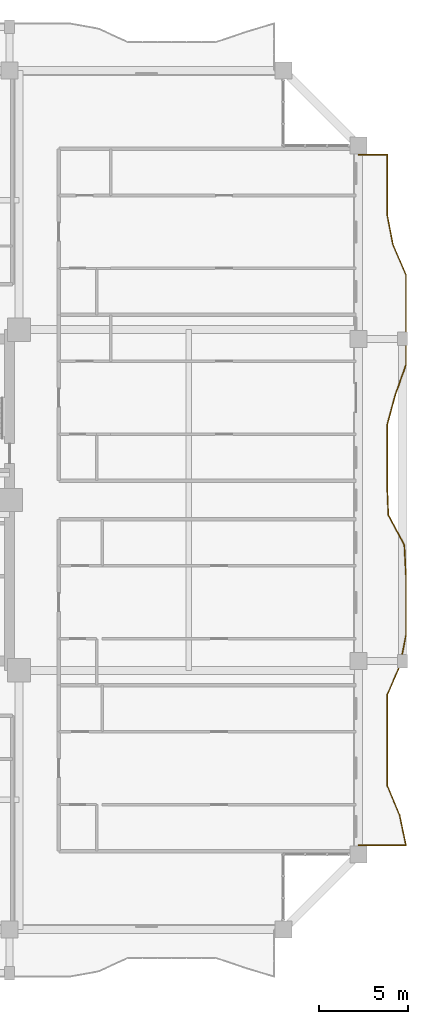
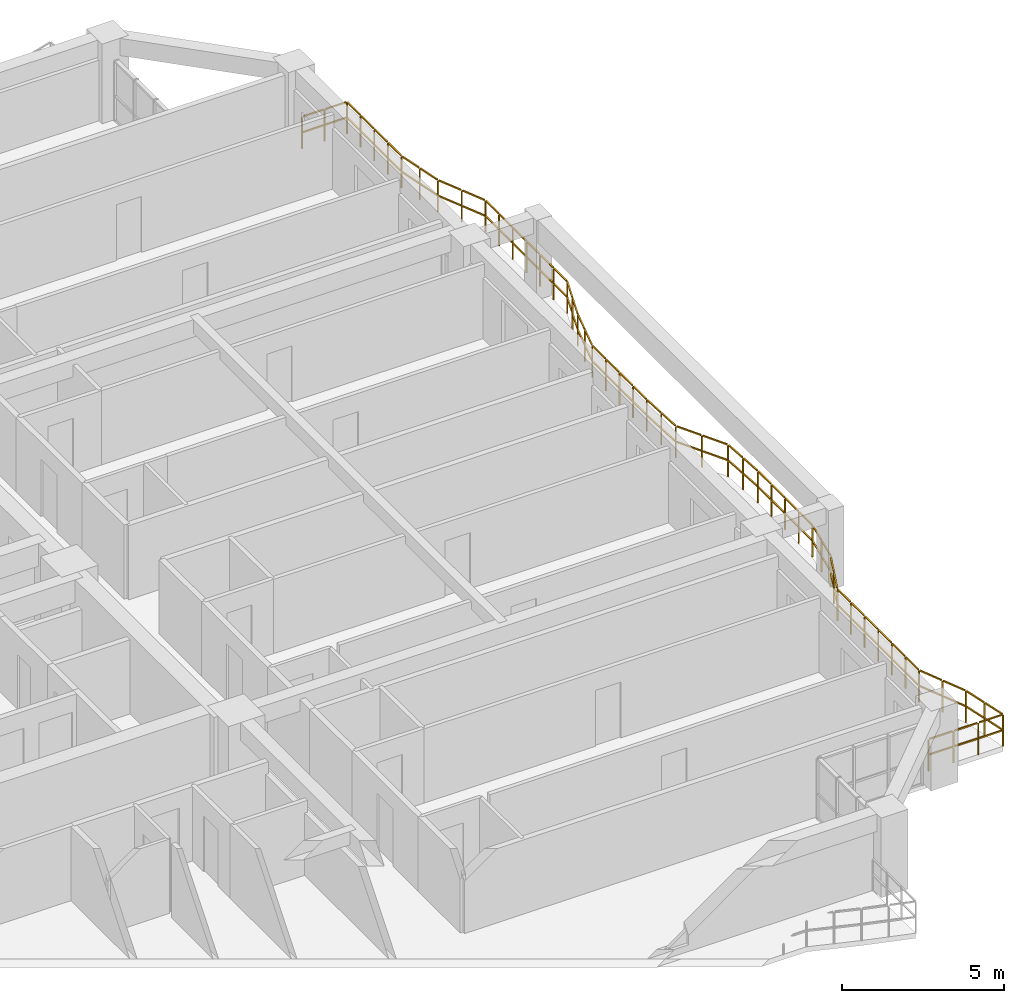
# One storey, part 23 of 24: 1 railing.
"""IFC4 building model written with IfcOpenShell, lengths in metres."""

import ifcopenshell
import ifcopenshell.guid

model = None  # the IFC model being written
_history = None  # IfcOwnerHistory: only IFC2X3 demands one
_inside = {}  # id of a spatial element -> (the spatial element, [elements in it])
_under = {}  # id of a project, library or spatial element -> (it, [spatial elements below it])
_declared = {}  # id of a project -> (the project, [libraries it declares])
_typed = {}  # id of a type object -> (the type object, [elements of that type])
_made_of = {}  # id of a material, layer set ... -> (it, [elements and type objects made of it])


def new_model(schema):
    """Start an empty IFC model of exactly this schema.

    Asked for "IFC4X3", IfcOpenShell would pick the latest addendum, in which some entities
    have other attributes; the version numbers below select the first issue.
    IFC2X3 requires an IfcOwnerHistory on every rooted entity: one is made here for all.
    """
    global model, _history
    if schema == "IFC4X3":
        model = ifcopenshell.file(schema_version=(4, 3, 0, 0))
    else:
        model = ifcopenshell.file(schema=schema)
    _inside.clear()
    _under.clear()
    _declared.clear()
    _typed.clear()
    _made_of.clear()
    _history = None
    if model.schema == "IFC2X3":
        org = make("IfcOrganization", Name="unknown")
        user = make(
            "IfcPersonAndOrganization",
            ThePerson=make("IfcPerson", FamilyName="unknown"),
            TheOrganization=org,
        )
        app = make(
            "IfcApplication",
            ApplicationDeveloper=org,
            Version="unknown",
            ApplicationFullName="unknown",
            ApplicationIdentifier="unknown",
        )
        _history = make(
            "IfcOwnerHistory",
            OwningUser=user,
            OwningApplication=app,
            ChangeAction="ADDED",
            CreationDate=0,
        )
    return model


def make(cls, **values):
    """One entity of the class cls with the attributes given. An attribute that is None is left unset."""
    return model.create_entity(
        cls, **{name: value for name, value in values.items() if value is not None}
    )


def rooted(cls, **values):
    """An entity with a GlobalId (a new one), such as an element, a storey or a relation."""
    return make(cls, GlobalId=ifcopenshell.guid.new(), OwnerHistory=_history, **values)


def si_unit(unit_type, name, prefix=None):
    """IfcSIUnit, for example si_unit("LENGTHUNIT", "METRE", prefix="MILLI")."""
    return make("IfcSIUnit", UnitType=unit_type, Prefix=prefix, Name=name)


def assignment(units):
    """IfcUnitAssignment: the units of a project."""
    return None if units is None else make("IfcUnitAssignment", Units=units)


def point(xyz):
    """IfcCartesianPoint."""
    return None if xyz is None else make("IfcCartesianPoint", Coordinates=xyz)


def direction(xyz):
    """IfcDirection."""
    return None if xyz is None else make("IfcDirection", DirectionRatios=xyz)


def frame(location, z_axis=None, x_axis=None):
    """IfcAxis2Placement3D, a coordinate frame: its origin and axes. An axis left out is left unset."""
    return make(
        "IfcAxis2Placement3D",
        Location=point(location),
        Axis=direction(z_axis),
        RefDirection=direction(x_axis),
    )


def frame_2d(location, x_axis=None):
    """IfcAxis2Placement2D, a coordinate frame in the plane: its origin and x axis."""
    return make(
        "IfcAxis2Placement2D", Location=point(location), RefDirection=direction(x_axis)
    )


def origin():
    """The frame at (0, 0, 0) with its axes left unset."""
    return frame((0.0, 0.0, 0.0))


def origin_2d():
    """The frame at (0, 0) in the plane with its x axis left unset."""
    return frame_2d((0.0, 0.0))


def place(relative_to, where):
    """IfcLocalPlacement: puts the frame where relative to a parent placement (None: the world)."""
    return make(
        "IfcLocalPlacement", PlacementRelTo=relative_to, RelativePlacement=where
    )


def context(
    kind, dimensions, precision=None, world=None, true_north=None, identifier=None
):
    """IfcGeometricRepresentationContext, for example the 3D "Model" context."""
    return make(
        "IfcGeometricRepresentationContext",
        ContextIdentifier=identifier,
        ContextType=kind,
        CoordinateSpaceDimension=dimensions,
        Precision=precision,
        WorldCoordinateSystem=world,
        TrueNorth=true_north,
    )


def subcontext(parent, identifier, kind, view, scale=None):
    """IfcGeometricRepresentationSubContext, for example "Body" below "Model"."""
    return make(
        "IfcGeometricRepresentationSubContext",
        ContextIdentifier=identifier,
        ContextType=kind,
        ParentContext=parent,
        TargetScale=scale,
        TargetView=view,
    )


def project(units=None, contexts=None):
    """IfcProject with its units and contexts."""
    return rooted(
        "IfcProject",
        Name="project",
        RepresentationContexts=contexts,
        UnitsInContext=assignment(units),
    )


def spatial(cls, under=None, at=None, **own):
    """A site, building, storey or space (cls), placed at a placement, below another one or the project."""
    s = rooted(cls, ObjectPlacement=at, **own)
    if under is not None:
        _under.setdefault(under.id(), (under, []))[1].append(s)
    return s


def profile(cls, at=None, kind="AREA", **sizes):
    """A parametric profile (cls). Its sizes go by their IFC names, for example OverallWidth=200.0."""
    return make(cls, ProfileType=kind, Position=at, **sizes)


def rectangle(**sizes):
    """IfcRectangleProfileDef."""
    return profile("IfcRectangleProfileDef", **sizes)


def extrude(swept, where, along, depth):
    """IfcExtrudedAreaSolid: the profile swept, set in the frame where, extruded along a direction by depth."""
    return make(
        "IfcExtrudedAreaSolid",
        SweptArea=swept,
        Position=where,
        ExtrudedDirection=direction(along),
        Depth=depth,
    )


def shape(context_of_items, identifier, shape_type, items):
    """IfcShapeRepresentation: the items that make up one representation, for example the "Body"."""
    return make(
        "IfcShapeRepresentation",
        ContextOfItems=context_of_items,
        RepresentationIdentifier=identifier,
        RepresentationType=shape_type,
        Items=items,
    )


def material(Name=None, Category=None):
    """IfcMaterial."""
    return make("IfcMaterial", Name=Name, Category=Category)


def made_of(thing, what):
    """Note that an element or type object is made of a material, layer set ...; save() writes the relation."""
    if what is not None:
        _made_of.setdefault(what.id(), (what, []))[1].append(thing)
    return thing


def type_object(cls, material=None, **own):
    """A type object (cls), such as IfcWallType, which elements share."""
    return made_of(rooted(cls, **own), material)


def element(
    cls,
    number,
    at=None,
    inside=None,
    cuts=None,
    type_object=None,
    material=None,
    context=None,
    identifier="Body",
    shape_type=None,
    held_by="IfcProductDefinitionShape",
    body=None,
    shapes=None,
    **own,
):
    """One element of the class cls, such as IfcWall. Its Tag is "e" and its number.

    at: its placement. inside: the storey or other place that contains it. cuts: it is an
    opening in that element (IfcRelVoidsElement). A single representation is given by context,
    identifier, shape_type and body (its items); several are given by shapes. held_by: the class
    of the entity that holds the representations. save() writes the other relations.
    """
    e = rooted(cls, Tag="e%d" % number, ObjectPlacement=at, **own)
    if body is not None:
        shapes = [shape(context, identifier, shape_type, body)]
    if shapes is not None:
        e.Representation = make(held_by, Representations=shapes)
    if inside is not None:
        _inside.setdefault(inside.id(), (inside, []))[1].append(e)
    if cuts is not None:
        rooted(
            "IfcRelVoidsElement", RelatingBuildingElement=cuts, RelatedOpeningElement=e
        )
    if type_object is not None:
        _typed.setdefault(type_object.id(), (type_object, []))[1].append(e)
    return made_of(e, material)


def aggregate(whole, parts):
    """IfcRelAggregates: a whole, such as a stair, and the parts it consists of."""
    return rooted("IfcRelAggregates", RelatingObject=whole, RelatedObjects=parts)


def save(model, path):
    """Write the relations noted so far, then the file.

    IfcRelAggregates (storeys below a building ...), IfcRelContainedInSpatialStructure (elements
    in a storey), IfcRelDefinesByType, IfcRelAssociatesMaterial and IfcRelDeclares: one each for
    every whole, place, type object, material and project.
    """
    for whole, parts in _under.values():
        aggregate(whole, parts)
    for where, things in _inside.values():
        rooted(
            "IfcRelContainedInSpatialStructure",
            RelatedElements=things,
            RelatingStructure=where,
        )
    for kind, things in _typed.values():
        rooted("IfcRelDefinesByType", RelatedObjects=things, RelatingType=kind)
    for what, things in _made_of.values():
        rooted("IfcRelAssociatesMaterial", RelatedObjects=things, RelatingMaterial=what)
    for by, libraries in _declared.values():
        rooted("IfcRelDeclares", RelatingContext=by, RelatedDefinitions=libraries)
    model.write(path)


model = new_model("IFC4")

# Units and contexts
model_context = context("Model", 3, precision=1e-05, world=origin(), true_north=direction((0.0, 1.0)))
body_context = subcontext(model_context, "Body", "Model", "MODEL_VIEW")
ifc_project = project(units=[si_unit("LENGTHUNIT", "METRE"), si_unit("AREAUNIT", "SQUARE_METRE"), si_unit("VOLUMEUNIT", "CUBIC_METRE"), si_unit("PLANEANGLEUNIT", "RADIAN"), si_unit("MASSUNIT", "GRAM", prefix="KILO")], contexts=[model_context])

# Site, building, storey
site_placement = place(None, origin())
site = spatial("IfcSite", under=ifc_project, at=site_placement, CompositionType="ELEMENT")
building_placement = place(site_placement, origin())
building = spatial("IfcBuilding", under=site, at=building_placement, Name="Saelheon Loggia Tower", CompositionType="ELEMENT")
storey_placement = place(building_placement, frame((0.0, 0.0, 98.85009765625)))
storey = spatial("IfcBuildingStorey", under=building, at=storey_placement, Name="L31", CompositionType="ELEMENT", Elevation=98.85009765625)

# Railing
ifc_material = material(Name="Architectural Precast Concrete and Laminated Glass Guard", Category="concrete")
railing_type = type_object("IfcRailingType", Name="Guard_Loggia_RL_LOG", PredefinedType="BALUSTRADE", material=ifc_material)
railing_placement = place(storey_placement, frame((64.0, 7.699951171875, 0.0)))
element("IfcRailing", 1, at=railing_placement, inside=storey, type_object=railing_type, Name="L31 East Loggia Balustrade", PredefinedType="BALUSTRADE", context=body_context, shape_type="SweptSolid", body=[
    extrude(rectangle(XDim=0.048095703125, YDim=0.048095703125, at=origin_2d()), frame((0.033203125, 0.0, 1.19580078125), z_axis=(1.0, 0.0, 0.0), x_axis=(0.0, 1.0, 0.0)), (0.0, 0.0, 1.0), 0.81689453125),
    extrude(rectangle(XDim=0.048095703125, YDim=0.048095703125, at=origin_2d()), frame((0.033203125, 0.0, 0.60986328125), z_axis=(1.0, 0.0, 0.0), x_axis=(0.0, 1.0, 0.0)), (0.0, 0.0, 1.0), 0.81689453125),
    extrude(rectangle(XDim=0.048095703125, YDim=0.048095703125, at=origin_2d()), frame((0.91650390625, 0.0, 1.19580078125), z_axis=(1.0, 0.0, 0.0), x_axis=(0.0, 1.0, 0.0)), (0.0, 0.0, 1.0), 0.81689453125),
    extrude(rectangle(XDim=0.048095703125, YDim=0.048095703125, at=origin_2d()), frame((0.91650390625, 0.0, 0.60986328125), z_axis=(1.0, 0.0, 0.0), x_axis=(0.0, 1.0, 0.0)), (0.0, 0.0, 1.0), 0.81689453125),
    extrude(rectangle(XDim=0.048095703125, YDim=0.048095703125, at=origin_2d()), frame((1.7998046875, 0.0, 1.19580078125), z_axis=(1.0, 0.0, 0.0), x_axis=(0.0, 1.0, 0.0)), (0.0, 0.0, 1.0), 0.81689453125),
    extrude(rectangle(XDim=0.048095703125, YDim=0.048095703125, at=origin_2d()), frame((1.7998046875, 0.0, 0.60986328125), z_axis=(1.0, 0.0, 0.0), x_axis=(0.0, 1.0, 0.0)), (0.0, 0.0, 1.0), 0.81689453125),
    extrude(rectangle(XDim=0.048095703125, YDim=0.048095703125, at=origin_2d()), frame((2.64306640625, 0.032470703125, 1.19580078125), z_axis=(-0.205414978073, 0.978674964829, 0.0), x_axis=(-0.978674964829, -0.205414978073, 0.0)), (0.0, 0.0, 1.0), 0.791015625),
    extrude(rectangle(XDim=0.048095703125, YDim=0.048095703125, at=origin_2d()), frame((2.64306640625, 0.032470703125, 0.60986328125), z_axis=(-0.205414978073, 0.978674964829, 0.0), x_axis=(-0.978674964829, -0.205414978073, 0.0)), (0.0, 0.0, 1.0), 0.791015625),
    extrude(rectangle(XDim=0.048095703125, YDim=0.048095703125, at=origin_2d()), frame((2.467041015625, 0.871826171875, 1.19580078125), z_axis=(-0.205414978073, 0.978674964829, 0.0), x_axis=(-0.978674964829, -0.205414978073, 0.0)), (0.0, 0.0, 1.0), 0.791015625),
    extrude(rectangle(XDim=0.048095703125, YDim=0.048095703125, at=origin_2d()), frame((2.467041015625, 0.871826171875, 0.60986328125), z_axis=(-0.205414978073, 0.978674964829, 0.0), x_axis=(-0.978674964829, -0.205414978073, 0.0)), (0.0, 0.0, 1.0), 0.791015625),
    extrude(rectangle(XDim=0.048095703125, YDim=0.048095703125, at=origin_2d()), frame((2.284912109375, 1.709228515625, 1.19580078125), z_axis=(-0.383842529392, 0.923398566508, 0.0), x_axis=(-0.923398566508, -0.383842529392, 0.0)), (0.0, 0.0, 1.0), 0.842041015625),
    extrude(rectangle(XDim=0.048095703125, YDim=0.048095703125, at=origin_2d()), frame((2.284912109375, 1.709228515625, 0.60986328125), z_axis=(-0.383842529392, 0.923398566508, 0.0), x_axis=(-0.923398566508, -0.383842529392, 0.0)), (0.0, 0.0, 1.0), 0.842041015625),
    extrude(rectangle(XDim=0.048095703125, YDim=0.048095703125, at=origin_2d()), frame((1.93603515625, 2.548095703125, 1.19580078125), z_axis=(-0.383842529392, 0.923398566508, 0.0), x_axis=(-0.923398566508, -0.383842529392, 0.0)), (0.0, 0.0, 1.0), 0.842041015625),
    extrude(rectangle(XDim=0.048095703125, YDim=0.048095703125, at=origin_2d()), frame((1.93603515625, 2.548095703125, 0.60986328125), z_axis=(-0.383842529392, 0.923398566508, 0.0), x_axis=(-0.923398566508, -0.383842529392, 0.0)), (0.0, 0.0, 1.0), 0.842041015625),
    extrude(rectangle(XDim=0.048095703125, YDim=0.048095703125, at=origin_2d()), frame((1.60009765625, 3.3896484375, 1.19580078125), z_axis=(0.0, 1.0, 0.0), x_axis=(-1.0, 0.0, 0.0)), (0.0, 0.0, 1.0), 0.772705078125),
    extrude(rectangle(XDim=0.048095703125, YDim=0.048095703125, at=origin_2d()), frame((1.60009765625, 3.3896484375, 0.60986328125), z_axis=(0.0, 1.0, 0.0), x_axis=(-1.0, 0.0, 0.0)), (0.0, 0.0, 1.0), 0.772705078125),
    extrude(rectangle(XDim=0.048095703125, YDim=0.048095703125, at=origin_2d()), frame((1.60009765625, 4.22900390625, 1.19580078125), z_axis=(0.0, 1.0, 0.0), x_axis=(-1.0, 0.0, 0.0)), (0.0, 0.0, 1.0), 0.772705078125),
    extrude(rectangle(XDim=0.048095703125, YDim=0.048095703125, at=origin_2d()), frame((1.60009765625, 4.22900390625, 0.60986328125), z_axis=(0.0, 1.0, 0.0), x_axis=(-1.0, 0.0, 0.0)), (0.0, 0.0, 1.0), 0.772705078125),
    extrude(rectangle(XDim=0.048095703125, YDim=0.048095703125, at=origin_2d()), frame((1.60009765625, 5.068115234375, 1.19580078125), z_axis=(0.0, 1.0, 0.0), x_axis=(-1.0, 0.0, 0.0)), (0.0, 0.0, 1.0), 0.772705078125),
    extrude(rectangle(XDim=0.048095703125, YDim=0.048095703125, at=origin_2d()), frame((1.60009765625, 5.068115234375, 0.60986328125), z_axis=(0.0, 1.0, 0.0), x_axis=(-1.0, 0.0, 0.0)), (0.0, 0.0, 1.0), 0.772705078125),
    extrude(rectangle(XDim=0.048095703125, YDim=0.048095703125, at=origin_2d()), frame((1.60009765625, 5.9072265625, 1.19580078125), z_axis=(0.0, 1.0, 0.0), x_axis=(-1.0, 0.0, 0.0)), (0.0, 0.0, 1.0), 0.772705078125),
    extrude(rectangle(XDim=0.048095703125, YDim=0.048095703125, at=origin_2d()), frame((1.60009765625, 5.9072265625, 0.60986328125), z_axis=(0.0, 1.0, 0.0), x_axis=(-1.0, 0.0, 0.0)), (0.0, 0.0, 1.0), 0.772705078125),
    extrude(rectangle(XDim=0.048095703125, YDim=0.048095703125, at=origin_2d()), frame((1.60009765625, 6.746337890625, 1.19580078125), z_axis=(0.0, 1.0, 0.0), x_axis=(-1.0, 0.0, 0.0)), (0.0, 0.0, 1.0), 0.772705078125),
    extrude(rectangle(XDim=0.048095703125, YDim=0.048095703125, at=origin_2d()), frame((1.60009765625, 6.746337890625, 0.60986328125), z_axis=(0.0, 1.0, 0.0), x_axis=(-1.0, 0.0, 0.0)), (0.0, 0.0, 1.0), 0.772705078125),
    extrude(rectangle(XDim=0.048095703125, YDim=0.048095703125, at=origin_2d()), frame((1.60009765625, 7.58544921875, 1.19580078125), z_axis=(0.0, 1.0, 0.0), x_axis=(-1.0, 0.0, 0.0)), (0.0, 0.0, 1.0), 0.772705078125),
    extrude(rectangle(XDim=0.048095703125, YDim=0.048095703125, at=origin_2d()), frame((1.60009765625, 7.58544921875, 0.60986328125), z_axis=(0.0, 1.0, 0.0), x_axis=(-1.0, 0.0, 0.0)), (0.0, 0.0, 1.0), 0.772705078125),
    extrude(rectangle(XDim=0.048095703125, YDim=0.048095703125, at=origin_2d()), frame((1.61328125, 8.421875, 1.19580078125), z_axis=(0.395724447391, 0.918369294857, 0.0), x_axis=(-0.918369294857, 0.395724447391, 0.0)), (0.0, 0.0, 1.0), 0.84716796875),
    extrude(rectangle(XDim=0.048095703125, YDim=0.048095703125, at=origin_2d()), frame((1.61328125, 8.421875, 0.60986328125), z_axis=(0.395724447391, 0.918369294857, 0.0), x_axis=(-0.918369294857, 0.395724447391, 0.0)), (0.0, 0.0, 1.0), 0.84716796875),
    extrude(rectangle(XDim=0.048095703125, YDim=0.048095703125, at=origin_2d()), frame((1.974853515625, 9.260986328125, 1.19580078125), z_axis=(0.395724447391, 0.918369294857, 0.0), x_axis=(-0.918369294857, 0.395724447391, 0.0)), (0.0, 0.0, 1.0), 0.84716796875),
    extrude(rectangle(XDim=0.048095703125, YDim=0.048095703125, at=origin_2d()), frame((1.974853515625, 9.260986328125, 0.60986328125), z_axis=(0.395724447391, 0.918369294857, 0.0), x_axis=(-0.918369294857, 0.395724447391, 0.0)), (0.0, 0.0, 1.0), 0.84716796875),
    extrude(rectangle(XDim=0.048095703125, YDim=0.048095703125, at=origin_2d()), frame((2.32958984375, 10.102294921875, 1.19580078125), z_axis=(0.191060757648, 0.981578212313, 0.0), x_axis=(-0.981578212313, 0.191060757648, 0.0)), (0.0, 0.0, 1.0), 0.788330078125),
    extrude(rectangle(XDim=0.048095703125, YDim=0.048095703125, at=origin_2d()), frame((2.32958984375, 10.102294921875, 0.60986328125), z_axis=(0.191060757648, 0.981578212313, 0.0), x_axis=(-0.981578212313, 0.191060757648, 0.0)), (0.0, 0.0, 1.0), 0.788330078125),
    extrude(rectangle(XDim=0.048095703125, YDim=0.048095703125, at=origin_2d()), frame((2.492919921875, 10.94140625, 1.19580078125), z_axis=(0.191060757648, 0.981578212313, 0.0), x_axis=(-0.981578212313, 0.191060757648, 0.0)), (0.0, 0.0, 1.0), 0.788330078125),
    extrude(rectangle(XDim=0.048095703125, YDim=0.048095703125, at=origin_2d()), frame((2.492919921875, 10.94140625, 0.60986328125), z_axis=(0.191060757648, 0.981578212313, 0.0), x_axis=(-0.981578212313, 0.191060757648, 0.0)), (0.0, 0.0, 1.0), 0.788330078125),
    extrude(rectangle(XDim=0.048095703125, YDim=0.048095703125, at=origin_2d()), frame((2.64990234375, 11.781005859375, 1.19580078125), z_axis=(0.0, 1.0, 0.0), x_axis=(-1.0, 0.0, 0.0)), (0.0, 0.0, 1.0), 0.772705078125),
    extrude(rectangle(XDim=0.048095703125, YDim=0.048095703125, at=origin_2d()), frame((2.64990234375, 11.781005859375, 0.60986328125), z_axis=(0.0, 1.0, 0.0), x_axis=(-1.0, 0.0, 0.0)), (0.0, 0.0, 1.0), 0.772705078125),
    extrude(rectangle(XDim=0.048095703125, YDim=0.048095703125, at=origin_2d()), frame((2.64990234375, 12.620361328125, 1.19580078125), z_axis=(0.0, 1.0, 0.0), x_axis=(-1.0, 0.0, 0.0)), (0.0, 0.0, 1.0), 0.772705078125),
    extrude(rectangle(XDim=0.048095703125, YDim=0.048095703125, at=origin_2d()), frame((2.64990234375, 12.620361328125, 0.60986328125), z_axis=(0.0, 1.0, 0.0), x_axis=(-1.0, 0.0, 0.0)), (0.0, 0.0, 1.0), 0.772705078125),
    extrude(rectangle(XDim=0.048095703125, YDim=0.048095703125, at=origin_2d()), frame((2.64990234375, 13.45947265625, 1.19580078125), z_axis=(0.0, 1.0, 0.0), x_axis=(-1.0, 0.0, 0.0)), (0.0, 0.0, 1.0), 0.7724609375),
    extrude(rectangle(XDim=0.048095703125, YDim=0.048095703125, at=origin_2d()), frame((2.64990234375, 13.45947265625, 0.60986328125), z_axis=(0.0, 1.0, 0.0), x_axis=(-1.0, 0.0, 0.0)), (0.0, 0.0, 1.0), 0.7724609375),
    extrude(rectangle(XDim=0.048095703125, YDim=0.048095703125, at=origin_2d()), frame((2.64990234375, 14.298583984375, 1.19580078125), z_axis=(0.0, 1.0, 0.0), x_axis=(-1.0, 0.0, 0.0)), (0.0, 0.0, 1.0), 0.7724609375),
    extrude(rectangle(XDim=0.048095703125, YDim=0.048095703125, at=origin_2d()), frame((2.64990234375, 14.298583984375, 0.60986328125), z_axis=(0.0, 1.0, 0.0), x_axis=(-1.0, 0.0, 0.0)), (0.0, 0.0, 1.0), 0.7724609375),
    extrude(rectangle(XDim=0.048095703125, YDim=0.048095703125, at=origin_2d()), frame((2.648193359375, 15.137451171875, 1.19580078125), z_axis=(-0.053161084744, 0.998585949765, 0.0), x_axis=(-0.998585949765, -0.053161084744, 0.0)), (0.0, 0.0, 1.0), 0.77392578125),
    extrude(rectangle(XDim=0.048095703125, YDim=0.048095703125, at=origin_2d()), frame((2.648193359375, 15.137451171875, 0.60986328125), z_axis=(-0.053161084744, 0.998585949765, 0.0), x_axis=(-0.998585949765, -0.053161084744, 0.0)), (0.0, 0.0, 1.0), 0.77392578125),
    extrude(rectangle(XDim=0.048095703125, YDim=0.048095703125, at=origin_2d()), frame((2.603515625, 15.9765625, 1.19580078125), z_axis=(-0.053161084744, 0.998585949765, 0.0), x_axis=(-0.998585949765, -0.053161084744, 0.0)), (0.0, 0.0, 1.0), 0.77392578125),
    extrude(rectangle(XDim=0.048095703125, YDim=0.048095703125, at=origin_2d()), frame((2.603515625, 15.9765625, 0.60986328125), z_axis=(-0.053161084744, 0.998585949765, 0.0), x_axis=(-0.998585949765, -0.053161084744, 0.0)), (0.0, 0.0, 1.0), 0.77392578125),
    extrude(rectangle(XDim=0.048095703125, YDim=0.048095703125, at=origin_2d()), frame((2.544921875, 16.81201171875, 1.19580078125), z_axis=(-0.470474964031, 0.882413343179, 0.0), x_axis=(-0.882413343179, -0.470474964031, 0.0)), (0.0, 0.0, 1.0), 0.884521484375),
    extrude(rectangle(XDim=0.048095703125, YDim=0.048095703125, at=origin_2d()), frame((2.544921875, 16.81201171875, 0.60986328125), z_axis=(-0.470474964031, 0.882413343179, 0.0), x_axis=(-0.882413343179, -0.470474964031, 0.0)), (0.0, 0.0, 1.0), 0.884521484375),
    extrude(rectangle(XDim=0.048095703125, YDim=0.048095703125, at=origin_2d()), frame((2.097412109375, 17.651123046875, 1.19580078125), z_axis=(-0.470474964031, 0.882413343179, 0.0), x_axis=(-0.882413343179, -0.470474964031, 0.0)), (0.0, 0.0, 1.0), 0.884521484375),
    extrude(rectangle(XDim=0.048095703125, YDim=0.048095703125, at=origin_2d()), frame((2.097412109375, 17.651123046875, 0.60986328125), z_axis=(-0.470474964031, 0.882413343179, 0.0), x_axis=(-0.882413343179, -0.470474964031, 0.0)), (0.0, 0.0, 1.0), 0.884521484375),
    extrude(rectangle(XDim=0.048095703125, YDim=0.048095703125, at=origin_2d()), frame((1.66455078125, 18.494140625, 1.19580078125), z_axis=(-0.039103035271, 0.999235183844, 0.0), x_axis=(-0.999235183844, -0.039103035271, 0.0)), (0.0, 0.0, 1.0), 0.773193359375),
    extrude(rectangle(XDim=0.048095703125, YDim=0.048095703125, at=origin_2d()), frame((1.66455078125, 18.494140625, 0.60986328125), z_axis=(-0.039103035271, 0.999235183844, 0.0), x_axis=(-0.999235183844, -0.039103035271, 0.0)), (0.0, 0.0, 1.0), 0.773193359375),
    extrude(rectangle(XDim=0.048095703125, YDim=0.048095703125, at=origin_2d()), frame((1.631591796875, 19.333251953125, 1.19580078125), z_axis=(-0.039103035271, 0.999235183844, 0.0), x_axis=(-0.999235183844, -0.039103035271, 0.0)), (0.0, 0.0, 1.0), 0.773193359375),
    extrude(rectangle(XDim=0.048095703125, YDim=0.048095703125, at=origin_2d()), frame((1.631591796875, 19.333251953125, 0.60986328125), z_axis=(-0.039103035271, 0.999235183844, 0.0), x_axis=(-0.999235183844, -0.039103035271, 0.0)), (0.0, 0.0, 1.0), 0.773193359375),
    extrude(rectangle(XDim=0.048095703125, YDim=0.048095703125, at=origin_2d()), frame((1.60009765625, 20.17236328125, 1.19580078125), z_axis=(0.0, 1.0, 0.0), x_axis=(-1.0, 0.0, 0.0)), (0.0, 0.0, 1.0), 0.772705078125),
    extrude(rectangle(XDim=0.048095703125, YDim=0.048095703125, at=origin_2d()), frame((1.60009765625, 20.17236328125, 0.60986328125), z_axis=(0.0, 1.0, 0.0), x_axis=(-1.0, 0.0, 0.0)), (0.0, 0.0, 1.0), 0.772705078125),
    extrude(rectangle(XDim=0.048095703125, YDim=0.048095703125, at=origin_2d()), frame((1.60009765625, 21.011474609375, 1.19580078125), z_axis=(0.0, 1.0, 0.0), x_axis=(-1.0, 0.0, 0.0)), (0.0, 0.0, 1.0), 0.772705078125),
    extrude(rectangle(XDim=0.048095703125, YDim=0.048095703125, at=origin_2d()), frame((1.60009765625, 21.011474609375, 0.60986328125), z_axis=(0.0, 1.0, 0.0), x_axis=(-1.0, 0.0, 0.0)), (0.0, 0.0, 1.0), 0.772705078125),
    extrude(rectangle(XDim=0.048095703125, YDim=0.048095703125, at=origin_2d()), frame((1.60009765625, 21.8505859375, 1.19580078125), z_axis=(0.0, 1.0, 0.0), x_axis=(-1.0, 0.0, 0.0)), (0.0, 0.0, 1.0), 0.772705078125),
    extrude(rectangle(XDim=0.048095703125, YDim=0.048095703125, at=origin_2d()), frame((1.60009765625, 21.8505859375, 0.60986328125), z_axis=(0.0, 1.0, 0.0), x_axis=(-1.0, 0.0, 0.0)), (0.0, 0.0, 1.0), 0.772705078125),
    extrude(rectangle(XDim=0.048095703125, YDim=0.048095703125, at=origin_2d()), frame((1.60009765625, 22.68994140625, 1.19580078125), z_axis=(0.0, 1.0, 0.0), x_axis=(-1.0, 0.0, 0.0)), (0.0, 0.0, 1.0), 0.772705078125),
    extrude(rectangle(XDim=0.048095703125, YDim=0.048095703125, at=origin_2d()), frame((1.60009765625, 22.68994140625, 0.60986328125), z_axis=(0.0, 1.0, 0.0), x_axis=(-1.0, 0.0, 0.0)), (0.0, 0.0, 1.0), 0.772705078125),
    extrude(rectangle(XDim=0.048095703125, YDim=0.048095703125, at=origin_2d()), frame((1.60888671875, 23.52783203125, 1.19580078125), z_axis=(0.261227378057, 0.965277295368, 0.0), x_axis=(-0.965277295368, 0.261227378057, 0.0)), (0.0, 0.0, 1.0), 0.802734375),
    extrude(rectangle(XDim=0.048095703125, YDim=0.048095703125, at=origin_2d()), frame((1.60888671875, 23.52783203125, 0.60986328125), z_axis=(0.261227378057, 0.965277295368, 0.0), x_axis=(-0.965277295368, 0.261227378057, 0.0)), (0.0, 0.0, 1.0), 0.802734375),
    extrude(rectangle(XDim=0.048095703125, YDim=0.048095703125, at=origin_2d()), frame((1.8359375, 24.366943359375, 1.19580078125), z_axis=(0.261227378057, 0.965277295368, 0.0), x_axis=(-0.965277295368, 0.261227378057, 0.0)), (0.0, 0.0, 1.0), 0.802734375),
    extrude(rectangle(XDim=0.048095703125, YDim=0.048095703125, at=origin_2d()), frame((1.8359375, 24.366943359375, 0.60986328125), z_axis=(0.261227378057, 0.965277295368, 0.0), x_axis=(-0.965277295368, 0.261227378057, 0.0)), (0.0, 0.0, 1.0), 0.802734375),
    extrude(rectangle(XDim=0.048095703125, YDim=0.048095703125, at=origin_2d()), frame((2.0654296875, 25.205078125, 1.19580078125), z_axis=(0.334468754842, 0.942406839976, 0.0), x_axis=(-0.942406839976, 0.334468754842, 0.0)), (0.0, 0.0, 1.0), 0.823974609375),
    extrude(rectangle(XDim=0.048095703125, YDim=0.048095703125, at=origin_2d()), frame((2.0654296875, 25.205078125, 0.60986328125), z_axis=(0.334468754842, 0.942406839976, 0.0), x_axis=(-0.942406839976, 0.334468754842, 0.0)), (0.0, 0.0, 1.0), 0.823974609375),
    extrude(rectangle(XDim=0.048095703125, YDim=0.048095703125, at=origin_2d()), frame((2.36328125, 26.04443359375, 1.19580078125), z_axis=(0.334468754842, 0.942406839976, 0.0), x_axis=(-0.942406839976, 0.334468754842, 0.0)), (0.0, 0.0, 1.0), 0.823974609375),
    extrude(rectangle(XDim=0.048095703125, YDim=0.048095703125, at=origin_2d()), frame((2.36328125, 26.04443359375, 0.60986328125), z_axis=(0.334468754842, 0.942406839976, 0.0), x_axis=(-0.942406839976, 0.334468754842, 0.0)), (0.0, 0.0, 1.0), 0.823974609375),
    extrude(rectangle(XDim=0.048095703125, YDim=0.048095703125, at=origin_2d()), frame((2.64990234375, 26.885498046875, 1.19580078125), z_axis=(0.0, 1.0, 0.0), x_axis=(-1.0, 0.0, 0.0)), (0.0, 0.0, 1.0), 0.772705078125),
    extrude(rectangle(XDim=0.048095703125, YDim=0.048095703125, at=origin_2d()), frame((2.64990234375, 26.885498046875, 0.60986328125), z_axis=(0.0, 1.0, 0.0), x_axis=(-1.0, 0.0, 0.0)), (0.0, 0.0, 1.0), 0.772705078125),
    extrude(rectangle(XDim=0.048095703125, YDim=0.048095703125, at=origin_2d()), frame((2.64990234375, 27.724609375, 1.19580078125), z_axis=(0.0, 1.0, 0.0), x_axis=(-1.0, 0.0, 0.0)), (0.0, 0.0, 1.0), 0.772705078125),
    extrude(rectangle(XDim=0.048095703125, YDim=0.048095703125, at=origin_2d()), frame((2.64990234375, 27.724609375, 0.60986328125), z_axis=(0.0, 1.0, 0.0), x_axis=(-1.0, 0.0, 0.0)), (0.0, 0.0, 1.0), 0.772705078125),
    extrude(rectangle(XDim=0.048095703125, YDim=0.048095703125, at=origin_2d()), frame((2.64990234375, 28.563720703125, 1.19580078125), z_axis=(0.0, 1.0, 0.0), x_axis=(-1.0, 0.0, 0.0)), (0.0, 0.0, 1.0), 0.772705078125),
    extrude(rectangle(XDim=0.048095703125, YDim=0.048095703125, at=origin_2d()), frame((2.64990234375, 28.563720703125, 0.60986328125), z_axis=(0.0, 1.0, 0.0), x_axis=(-1.0, 0.0, 0.0)), (0.0, 0.0, 1.0), 0.772705078125),
    extrude(rectangle(XDim=0.048095703125, YDim=0.048095703125, at=origin_2d()), frame((2.64990234375, 29.40283203125, 1.19580078125), z_axis=(0.0, 1.0, 0.0), x_axis=(-1.0, 0.0, 0.0)), (0.0, 0.0, 1.0), 0.772705078125),
    extrude(rectangle(XDim=0.048095703125, YDim=0.048095703125, at=origin_2d()), frame((2.64990234375, 29.40283203125, 0.60986328125), z_axis=(0.0, 1.0, 0.0), x_axis=(-1.0, 0.0, 0.0)), (0.0, 0.0, 1.0), 0.772705078125),
    extrude(rectangle(XDim=0.048095703125, YDim=0.048095703125, at=origin_2d()), frame((2.64990234375, 30.241943359375, 1.19580078125), z_axis=(0.0, 1.0, 0.0), x_axis=(-1.0, 0.0, 0.0)), (0.0, 0.0, 1.0), 0.772705078125),
    extrude(rectangle(XDim=0.048095703125, YDim=0.048095703125, at=origin_2d()), frame((2.64990234375, 30.241943359375, 0.60986328125), z_axis=(0.0, 1.0, 0.0), x_axis=(-1.0, 0.0, 0.0)), (0.0, 0.0, 1.0), 0.772705078125),
    extrude(rectangle(XDim=0.048095703125, YDim=0.048095703125, at=origin_2d()), frame((2.64990234375, 31.0810546875, 1.19580078125), z_axis=(0.0, 1.0, 0.0), x_axis=(-1.0, 0.0, 0.0)), (0.0, 0.0, 1.0), 0.772705078125),
    extrude(rectangle(XDim=0.048095703125, YDim=0.048095703125, at=origin_2d()), frame((2.64990234375, 31.0810546875, 0.60986328125), z_axis=(0.0, 1.0, 0.0), x_axis=(-1.0, 0.0, 0.0)), (0.0, 0.0, 1.0), 0.772705078125),
    extrude(rectangle(XDim=0.048095703125, YDim=0.048095703125, at=origin_2d()), frame((2.63671875, 31.91748046875, 1.19580078125), z_axis=(-0.396400198959, 0.918077819286, 0.0), x_axis=(-0.918077819286, -0.396400198959, 0.0)), (0.0, 0.0, 1.0), 0.847412109375),
    extrude(rectangle(XDim=0.048095703125, YDim=0.048095703125, at=origin_2d()), frame((2.63671875, 31.91748046875, 0.60986328125), z_axis=(-0.396400198959, 0.918077819286, 0.0), x_axis=(-0.918077819286, -0.396400198959, 0.0)), (0.0, 0.0, 1.0), 0.847412109375),
    extrude(rectangle(XDim=0.048095703125, YDim=0.048095703125, at=origin_2d()), frame((2.2744140625, 32.756591796875, 1.19580078125), z_axis=(-0.396400198959, 0.918077819286, 0.0), x_axis=(-0.918077819286, -0.396400198959, 0.0)), (0.0, 0.0, 1.0), 0.847412109375),
    extrude(rectangle(XDim=0.048095703125, YDim=0.048095703125, at=origin_2d()), frame((2.2744140625, 32.756591796875, 0.60986328125), z_axis=(-0.396400198959, 0.918077819286, 0.0), x_axis=(-0.918077819286, -0.396400198959, 0.0)), (0.0, 0.0, 1.0), 0.847412109375),
    extrude(rectangle(XDim=0.048095703125, YDim=0.048095703125, at=origin_2d()), frame((1.9189453125, 33.597900390625, 1.19580078125), z_axis=(-0.190208387004, 0.981743739228, 0.0), x_axis=(-0.981743739228, -0.190208387004, 0.0)), (0.0, 0.0, 1.0), 0.788330078125),
    extrude(rectangle(XDim=0.048095703125, YDim=0.048095703125, at=origin_2d()), frame((1.9189453125, 33.597900390625, 0.60986328125), z_axis=(-0.190208387004, 0.981743739228, 0.0), x_axis=(-0.981743739228, -0.190208387004, 0.0)), (0.0, 0.0, 1.0), 0.788330078125),
    extrude(rectangle(XDim=0.048095703125, YDim=0.048095703125, at=origin_2d()), frame((1.75634765625, 34.43701171875, 1.19580078125), z_axis=(-0.190208387004, 0.981743739228, 0.0), x_axis=(-0.981743739228, -0.190208387004, 0.0)), (0.0, 0.0, 1.0), 0.788330078125),
    extrude(rectangle(XDim=0.048095703125, YDim=0.048095703125, at=origin_2d()), frame((1.75634765625, 34.43701171875, 0.60986328125), z_axis=(-0.190208387004, 0.981743739228, 0.0), x_axis=(-0.981743739228, -0.190208387004, 0.0)), (0.0, 0.0, 1.0), 0.788330078125),
    extrude(rectangle(XDim=0.048095703125, YDim=0.048095703125, at=origin_2d()), frame((1.60009765625, 35.27685546875, 1.19580078125), z_axis=(0.0, 1.0, 0.0), x_axis=(-1.0, 0.0, 0.0)), (0.0, 0.0, 1.0), 0.7724609375),
    extrude(rectangle(XDim=0.048095703125, YDim=0.048095703125, at=origin_2d()), frame((1.60009765625, 35.27685546875, 0.60986328125), z_axis=(0.0, 1.0, 0.0), x_axis=(-1.0, 0.0, 0.0)), (0.0, 0.0, 1.0), 0.7724609375),
    extrude(rectangle(XDim=0.048095703125, YDim=0.048095703125, at=origin_2d()), frame((1.60009765625, 36.115966796875, 1.19580078125), z_axis=(0.0, 1.0, 0.0), x_axis=(-1.0, 0.0, 0.0)), (0.0, 0.0, 1.0), 0.7724609375),
    extrude(rectangle(XDim=0.048095703125, YDim=0.048095703125, at=origin_2d()), frame((1.60009765625, 36.115966796875, 0.60986328125), z_axis=(0.0, 1.0, 0.0), x_axis=(-1.0, 0.0, 0.0)), (0.0, 0.0, 1.0), 0.7724609375),
    extrude(rectangle(XDim=0.048095703125, YDim=0.048095703125, at=origin_2d()), frame((1.60009765625, 36.954833984375, 1.19580078125), z_axis=(0.0, 1.0, 0.0), x_axis=(-1.0, 0.0, 0.0)), (0.0, 0.0, 1.0), 0.772705078125),
    extrude(rectangle(XDim=0.048095703125, YDim=0.048095703125, at=origin_2d()), frame((1.60009765625, 36.954833984375, 0.60986328125), z_axis=(0.0, 1.0, 0.0), x_axis=(-1.0, 0.0, 0.0)), (0.0, 0.0, 1.0), 0.772705078125),
    extrude(rectangle(XDim=0.048095703125, YDim=0.048095703125, at=origin_2d()), frame((1.60009765625, 37.794189453125, 1.19580078125), z_axis=(0.0, 1.0, 0.0), x_axis=(-1.0, 0.0, 0.0)), (0.0, 0.0, 1.0), 0.772705078125),
    extrude(rectangle(XDim=0.048095703125, YDim=0.048095703125, at=origin_2d()), frame((1.60009765625, 37.794189453125, 0.60986328125), z_axis=(0.0, 1.0, 0.0), x_axis=(-1.0, 0.0, 0.0)), (0.0, 0.0, 1.0), 0.772705078125),
    extrude(rectangle(XDim=0.048095703125, YDim=0.048095703125, at=origin_2d()), frame((1.56689453125, 38.60009765625, 1.19580078125), z_axis=(-1.0, 0.0, 0.0), x_axis=(0.0, -1.0, 0.0)), (0.0, 0.0, 1.0), 0.733642578125),
    extrude(rectangle(XDim=0.048095703125, YDim=0.048095703125, at=origin_2d()), frame((1.56689453125, 38.60009765625, 0.60986328125), z_axis=(-1.0, 0.0, 0.0), x_axis=(0.0, -1.0, 0.0)), (0.0, 0.0, 1.0), 0.733642578125),
    extrude(rectangle(XDim=0.048095703125, YDim=0.048095703125, at=origin_2d()), frame((0.766845703125, 38.60009765625, 1.19580078125), z_axis=(-1.0, 0.0, 0.0), x_axis=(0.0, -1.0, 0.0)), (0.0, 0.0, 1.0), 0.733642578125),
    extrude(rectangle(XDim=0.048095703125, YDim=0.048095703125, at=origin_2d()), frame((0.766845703125, 38.60009765625, 0.60986328125), z_axis=(-1.0, 0.0, 0.0), x_axis=(0.0, -1.0, 0.0)), (0.0, 0.0, 1.0), 0.733642578125),
    extrude(rectangle(XDim=0.0419921875, YDim=0.0419921875, at=origin_2d()), origin(), (0.0, 0.0, 1.0), 1.16796875),
    extrude(rectangle(XDim=0.0419921875, YDim=0.0419921875, at=origin_2d()), frame((0.88330078125, 0.0, 0.0)), (0.0, 0.0, 1.0), 1.16796875),
    extrude(rectangle(XDim=0.0419921875, YDim=0.0419921875, at=origin_2d()), frame((1.7666015625, 0.0, 0.0)), (0.0, 0.0, 1.0), 1.16796875),
    extrude(rectangle(XDim=0.0419921875, YDim=0.0419921875, at=origin_2d()), frame((2.64990234375, 0.0, 0.0)), (0.0, 0.0, 1.0), 1.16796875),
    extrude(rectangle(XDim=0.0419921875, YDim=0.0419921875, at=origin_2d()), frame((2.4736328125, 0.83935546875, 0.0)), (0.0, 0.0, 1.0), 1.16796875),
    extrude(rectangle(XDim=0.0419921875, YDim=0.0419921875, at=origin_2d()), frame((2.297607421875, 1.678466796875, 0.0)), (0.0, 0.0, 1.0), 1.16796875),
    extrude(rectangle(XDim=0.0419921875, YDim=0.0419921875, at=origin_2d()), frame((1.94873046875, 2.517578125, 0.0)), (0.0, 0.0, 1.0), 1.16796875),
    extrude(rectangle(XDim=0.0419921875, YDim=0.0419921875, at=origin_2d()), frame((1.60009765625, 3.3564453125, 0.0)), (0.0, 0.0, 1.0), 1.16796875),
    extrude(rectangle(XDim=0.0419921875, YDim=0.0419921875, at=origin_2d()), frame((1.60009765625, 4.19580078125, 0.0)), (0.0, 0.0, 1.0), 1.16796875),
    extrude(rectangle(XDim=0.0419921875, YDim=0.0419921875, at=origin_2d()), frame((1.60009765625, 5.034912109375, 0.0)), (0.0, 0.0, 1.0), 1.16796875),
    extrude(rectangle(XDim=0.0419921875, YDim=0.0419921875, at=origin_2d()), frame((1.60009765625, 5.8740234375, 0.0)), (0.0, 0.0, 1.0), 1.16796875),
    extrude(rectangle(XDim=0.0419921875, YDim=0.0419921875, at=origin_2d()), frame((1.60009765625, 6.713134765625, 0.0)), (0.0, 0.0, 1.0), 1.16796875),
    extrude(rectangle(XDim=0.0419921875, YDim=0.0419921875, at=origin_2d()), frame((1.60009765625, 7.55224609375, 0.0)), (0.0, 0.0, 1.0), 1.16796875),
    extrude(rectangle(XDim=0.0419921875, YDim=0.0419921875, at=origin_2d()), frame((1.60009765625, 8.391357421875, 0.0)), (0.0, 0.0, 1.0), 1.16796875),
    extrude(rectangle(XDim=0.0419921875, YDim=0.0419921875, at=origin_2d()), frame((1.961669921875, 9.23046875, 0.0)), (0.0, 0.0, 1.0), 1.16796875),
    extrude(rectangle(XDim=0.0419921875, YDim=0.0419921875, at=origin_2d()), frame((2.3232421875, 10.069580078125, 0.0)), (0.0, 0.0, 1.0), 1.16796875),
    extrude(rectangle(XDim=0.0419921875, YDim=0.0419921875, at=origin_2d()), frame((2.486572265625, 10.90869140625, 0.0)), (0.0, 0.0, 1.0), 1.16796875),
    extrude(rectangle(XDim=0.0419921875, YDim=0.0419921875, at=origin_2d()), frame((2.64990234375, 11.747802734375, 0.0)), (0.0, 0.0, 1.0), 1.16796875),
    extrude(rectangle(XDim=0.0419921875, YDim=0.0419921875, at=origin_2d()), frame((2.64990234375, 12.5869140625, 0.0)), (0.0, 0.0, 1.0), 1.16796875),
    extrude(rectangle(XDim=0.0419921875, YDim=0.0419921875, at=origin_2d()), frame((2.64990234375, 13.42626953125, 0.0)), (0.0, 0.0, 1.0), 1.16796875),
    extrude(rectangle(XDim=0.0419921875, YDim=0.0419921875, at=origin_2d()), frame((2.64990234375, 14.26513671875, 0.0)), (0.0, 0.0, 1.0), 1.16796875),
    extrude(rectangle(XDim=0.0419921875, YDim=0.0419921875, at=origin_2d()), frame((2.64990234375, 15.104248046875, 0.0)), (0.0, 0.0, 1.0), 1.16796875),
    extrude(rectangle(XDim=0.0419921875, YDim=0.0419921875, at=origin_2d()), frame((2.605224609375, 15.943359375, 0.0)), (0.0, 0.0, 1.0), 1.16796875),
    extrude(rectangle(XDim=0.0419921875, YDim=0.0419921875, at=origin_2d()), frame((2.560546875, 16.78271484375, 0.0)), (0.0, 0.0, 1.0), 1.16796875),
    extrude(rectangle(XDim=0.0419921875, YDim=0.0419921875, at=origin_2d()), frame((2.11328125, 17.621826171875, 0.0)), (0.0, 0.0, 1.0), 1.16796875),
    extrude(rectangle(XDim=0.0419921875, YDim=0.0419921875, at=origin_2d()), frame((1.665771484375, 18.4609375, 0.0)), (0.0, 0.0, 1.0), 1.16796875),
    extrude(rectangle(XDim=0.0419921875, YDim=0.0419921875, at=origin_2d()), frame((1.6328125, 19.300048828125, 0.0)), (0.0, 0.0, 1.0), 1.16796875),
    extrude(rectangle(XDim=0.0419921875, YDim=0.0419921875, at=origin_2d()), frame((1.60009765625, 20.13916015625, 0.0)), (0.0, 0.0, 1.0), 1.16796875),
    extrude(rectangle(XDim=0.0419921875, YDim=0.0419921875, at=origin_2d()), frame((1.60009765625, 20.978271484375, 0.0)), (0.0, 0.0, 1.0), 1.16796875),
    extrude(rectangle(XDim=0.0419921875, YDim=0.0419921875, at=origin_2d()), frame((1.60009765625, 21.8173828125, 0.0)), (0.0, 0.0, 1.0), 1.16796875),
    extrude(rectangle(XDim=0.0419921875, YDim=0.0419921875, at=origin_2d()), frame((1.60009765625, 22.65673828125, 0.0)), (0.0, 0.0, 1.0), 1.16796875),
    extrude(rectangle(XDim=0.0419921875, YDim=0.0419921875, at=origin_2d()), frame((1.60009765625, 23.495849609375, 0.0)), (0.0, 0.0, 1.0), 1.16796875),
    extrude(rectangle(XDim=0.0419921875, YDim=0.0419921875, at=origin_2d()), frame((1.8271484375, 24.3349609375, 0.0)), (0.0, 0.0, 1.0), 1.16796875),
    extrude(rectangle(XDim=0.0419921875, YDim=0.0419921875, at=origin_2d()), frame((2.05419921875, 25.173828125, 0.0)), (0.0, 0.0, 1.0), 1.16796875),
    extrude(rectangle(XDim=0.0419921875, YDim=0.0419921875, at=origin_2d()), frame((2.35205078125, 26.01318359375, 0.0)), (0.0, 0.0, 1.0), 1.16796875),
    extrude(rectangle(XDim=0.0419921875, YDim=0.0419921875, at=origin_2d()), frame((2.64990234375, 26.852294921875, 0.0)), (0.0, 0.0, 1.0), 1.16796875),
    extrude(rectangle(XDim=0.0419921875, YDim=0.0419921875, at=origin_2d()), frame((2.64990234375, 27.69140625, 0.0)), (0.0, 0.0, 1.0), 1.16796875),
    extrude(rectangle(XDim=0.0419921875, YDim=0.0419921875, at=origin_2d()), frame((2.64990234375, 28.530517578125, 0.0)), (0.0, 0.0, 1.0), 1.16796875),
    extrude(rectangle(XDim=0.0419921875, YDim=0.0419921875, at=origin_2d()), frame((2.64990234375, 29.36962890625, 0.0)), (0.0, 0.0, 1.0), 1.16796875),
    extrude(rectangle(XDim=0.0419921875, YDim=0.0419921875, at=origin_2d()), frame((2.64990234375, 30.208740234375, 0.0)), (0.0, 0.0, 1.0), 1.16796875),
    extrude(rectangle(XDim=0.0419921875, YDim=0.0419921875, at=origin_2d()), frame((2.64990234375, 31.0478515625, 0.0)), (0.0, 0.0, 1.0), 1.16796875),
    extrude(rectangle(XDim=0.0419921875, YDim=0.0419921875, at=origin_2d()), frame((2.64990234375, 31.886962890625, 0.0)), (0.0, 0.0, 1.0), 1.16796875),
    extrude(rectangle(XDim=0.0419921875, YDim=0.0419921875, at=origin_2d()), frame((2.28759765625, 32.72607421875, 0.0)), (0.0, 0.0, 1.0), 1.16796875),
    extrude(rectangle(XDim=0.0419921875, YDim=0.0419921875, at=origin_2d()), frame((1.92529296875, 33.565185546875, 0.0)), (0.0, 0.0, 1.0), 1.16796875),
    extrude(rectangle(XDim=0.0419921875, YDim=0.0419921875, at=origin_2d()), frame((1.7626953125, 34.404296875, 0.0)), (0.0, 0.0, 1.0), 1.16796875),
    extrude(rectangle(XDim=0.0419921875, YDim=0.0419921875, at=origin_2d()), frame((1.60009765625, 35.24365234375, 0.0)), (0.0, 0.0, 1.0), 1.16796875),
    extrude(rectangle(XDim=0.0419921875, YDim=0.0419921875, at=origin_2d()), frame((1.60009765625, 36.08251953125, 0.0)), (0.0, 0.0, 1.0), 1.16796875),
    extrude(rectangle(XDim=0.0419921875, YDim=0.0419921875, at=origin_2d()), frame((1.60009765625, 36.921630859375, 0.0)), (0.0, 0.0, 1.0), 1.16796875),
    extrude(rectangle(XDim=0.0419921875, YDim=0.0419921875, at=origin_2d()), frame((1.60009765625, 37.7607421875, 0.0)), (0.0, 0.0, 1.0), 1.16796875),
    extrude(rectangle(XDim=0.0419921875, YDim=0.0419921875, at=origin_2d()), frame((1.60009765625, 38.60009765625, 0.0)), (0.0, 0.0, 1.0), 1.16796875),
    extrude(rectangle(XDim=0.0419921875, YDim=0.0419921875, at=origin_2d()), frame((0.800048828125, 38.60009765625, 0.0)), (0.0, 0.0, 1.0), 1.16796875),
    extrude(rectangle(XDim=0.0419921875, YDim=0.0419921875, at=origin_2d()), frame((0.0, 38.60009765625, 0.0)), (0.0, 0.0, 1.0), 1.16796875),
])

save(model, "model.ifc")
